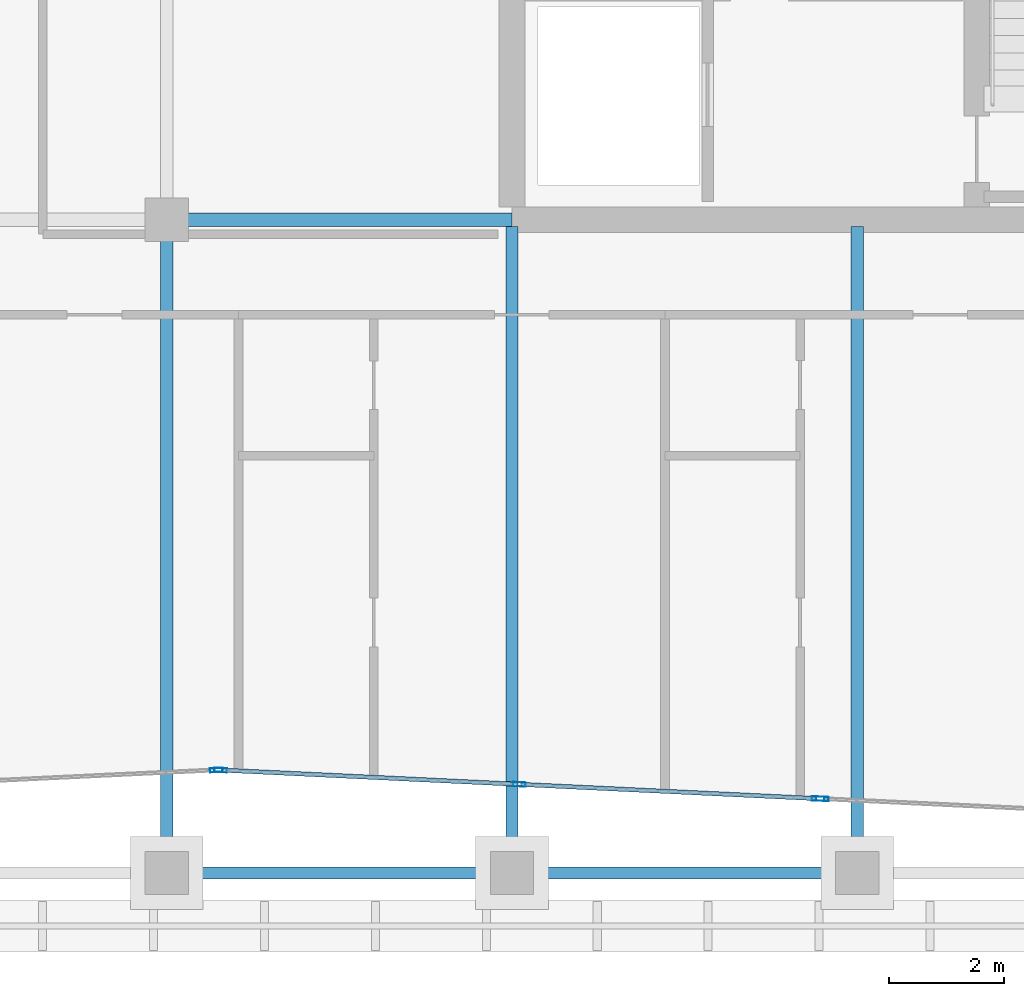
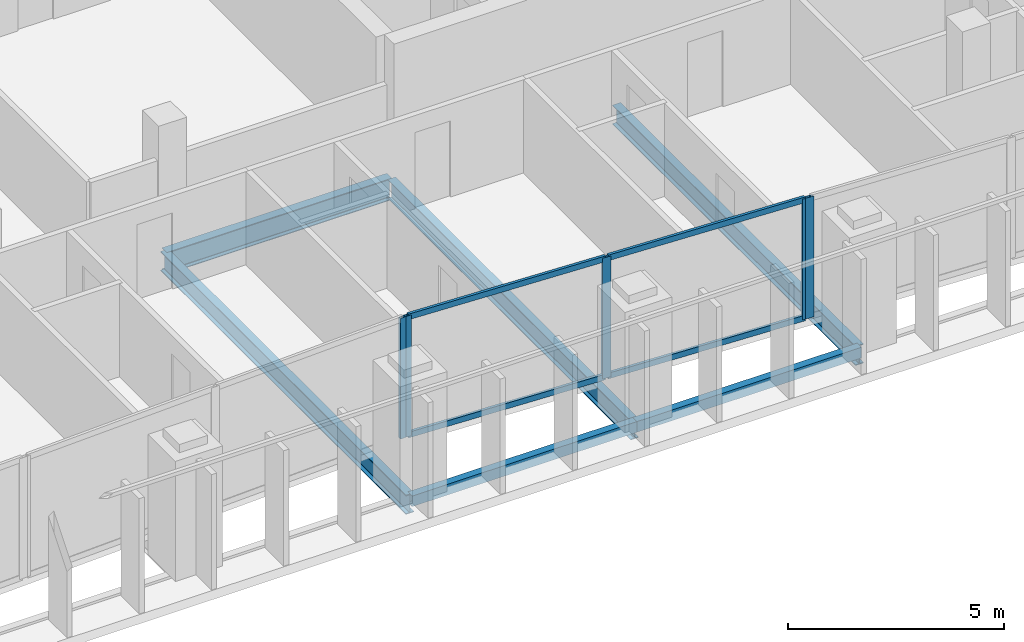
# One storey, part 9 of 32: 9 members, 6 beams, 3 elements without a shape of their own.
"""IFC4 building model written with IfcOpenShell, lengths in metres."""

from ifc_helpers import new_model, si_unit, direction, frame, origin, origin_2d, place, context, subcontext, project, spatial, hollow_rectangle, i_section, extrude, material, layer, layer_set, material_profile, profile_set, type_object, element, aggregate, save


model = new_model("IFC4")

# Units and contexts
model_context = context("Model", 3, precision=1e-05, world=origin(), true_north=direction((0.0, 1.0)))
body_context = subcontext(model_context, "Body", "Model", "MODEL_VIEW")
ifc_project = project(units=[si_unit("LENGTHUNIT", "METRE"), si_unit("AREAUNIT", "SQUARE_METRE"), si_unit("VOLUMEUNIT", "CUBIC_METRE"), si_unit("PLANEANGLEUNIT", "RADIAN"), si_unit("MASSUNIT", "GRAM", prefix="KILO")], contexts=[model_context])

# Site, building, storey
site_placement = place(None, origin())
site = spatial("IfcSite", under=ifc_project, at=site_placement, CompositionType="ELEMENT")
building_placement = place(site_placement, origin())
building = spatial("IfcBuilding", under=site, at=building_placement, Name="Tanjung Sevakor Pilgrim Tower", CompositionType="ELEMENT")
storey_placement = place(building_placement, frame((0.0, 0.0, 211.860107421875)))
storey = spatial("IfcBuildingStorey", under=building, at=storey_placement, Name="L59", CompositionType="ELEMENT", Elevation=211.860107421875)

# Beams
ifc_material_1 = material(Name="Steel S355J2", Category="steel")
ifc_material_profile_1 = material_profile(ifc_material_1, i_section(OverallWidth=0.22900390625, OverallDepth=0.6123046875, WebThickness=0.011962890625, FlangeThickness=0.01953125, FilletRadius=0.0126953125, at=origin_2d()))
ifc_profile_set_1 = profile_set([ifc_material_profile_1], Name="Steel S355J2")
beam_type_1 = type_object("IfcBeamType", Name="BM-B-G4-UB_610x229x125", PredefinedType="BEAM", material=ifc_profile_set_1)
beam_1_placement = place(storey_placement, frame((72.0, 24.60009765625, -0.526123046875), z_axis=(1.0, 0.0, 0.0), x_axis=(0.0, 1.0, 0.0)))
element("IfcBeam", 1, at=beam_1_placement, inside=storey, type_object=beam_type_1, Name="L59 Primary Floor Girder MAIN Y246-08", PredefinedType="BEAM", context=body_context, shape_type="SweptSolid", body=[
    extrude(i_section(OverallWidth=0.22900390625, OverallDepth=0.6123046875, WebThickness=0.011962890625, FlangeThickness=0.01953125, FilletRadius=0.0126953125, at=origin_2d()), origin(), (0.0, 0.0, 1.0), 6.0),
])
ifc_material_2 = material(Name="Steel S355J2", Category="steel")
ifc_material_profile_2 = material_profile(ifc_material_2, i_section(OverallWidth=0.2119140625, OverallDepth=0.54443359375, WebThickness=0.0126953125, FlangeThickness=0.021240234375, FilletRadius=0.0126953125, at=origin_2d()))
ifc_profile_set_2 = profile_set([ifc_material_profile_2], Name="Steel S355J2")
beam_type_2 = type_object("IfcBeamType", Name="BM-B-G5-UB_533x210x122", PredefinedType="BEAM", material=ifc_profile_set_2)
beam_2_placement = place(storey_placement, frame((72.0, 13.25, -0.492431640625), z_axis=(0.0, 1.0, 0.0), x_axis=(-1.0, 0.0, 0.0)))
element("IfcBeam", 2, at=beam_2_placement, inside=storey, type_object=beam_type_2, Name="L59 MAIN Girder 018", PredefinedType="BEAM", context=body_context, shape_type="SweptSolid", body=[
    extrude(i_section(OverallWidth=0.2119140625, OverallDepth=0.54443359375, WebThickness=0.0126953125, FlangeThickness=0.021240234375, FilletRadius=0.0126953125, at=origin_2d()), origin(), (0.0, 0.0, 1.0), 11.35009765625),
])
for number, where, z_axis, x_axis, name in (
    (3, (78.0, 13.25, -0.492431640625), (0.0, 1.0, 0.0), (-1.0, 0.0, 0.0), "L59 MAIN Girder 021"),
    (4, (84.0, 13.25, -0.492431640625), (0.0, 1.0, 0.0), (-1.0, 0.0, 0.0), "L59 MAIN Girder 023"),
):
    element("IfcBeam", number, at=place(storey_placement, frame(where, z_axis=z_axis, x_axis=x_axis)), inside=storey, type_object=beam_type_2, Name=name, PredefinedType="BEAM", context=body_context, shape_type="SweptSolid", body=[
        extrude(i_section(OverallWidth=0.2119140625, OverallDepth=0.54443359375, WebThickness=0.0126953125, FlangeThickness=0.021240234375, FilletRadius=0.0126953125, at=origin_2d()), origin(), (0.0, 0.0, 1.0), 11.235595703125),
    ])
ifc_material_3 = material(Name="Steel S355J2", Category="steel")
ifc_material_profile_3 = material_profile(ifc_material_3, hollow_rectangle(XDim=0.199951171875, YDim=0.300048828125, WallThickness=0.012451171875, at=origin_2d()))
ifc_profile_set_3 = profile_set([ifc_material_profile_3], Name="Steel S355J2")
beam_type_3 = type_object("IfcBeamType", Name="BM-B-SP3-RHS_300x200x12.5", PredefinedType="SPANDREL", material=ifc_profile_set_3)
for number, where, z_axis, x_axis, name in (
    (5, (72.0, 13.25, -0.3701171875), (1.0, 0.0, 0.0), (0.0, 1.0, 0.0), "L59 Spandrel MAIN S-11"),
    (6, (78.0, 13.25, -0.3701171875), (1.0, 0.0, 0.0), (0.0, 1.0, 0.0), "L59 Spandrel MAIN S-13"),
):
    element("IfcBeam", number, at=place(storey_placement, frame(where, z_axis=z_axis, x_axis=x_axis)), inside=storey, type_object=beam_type_3, Name=name, PredefinedType="SPANDREL", context=body_context, shape_type="SweptSolid", body=[
        extrude(hollow_rectangle(XDim=0.199951171875, YDim=0.300048828125, WallThickness=0.012451171875, at=origin_2d()), origin(), (0.0, 0.0, 1.0), 6.0),
    ])

# Curtain wall, member
ifc_material_4 = material(Name="Aluminium 6063-T6 and Low-E Glass", Category="aluminium")
ifc_layer = layer(ifc_material_4, 0.199951171875)
ifc_layer_set = layer_set([ifc_layer], Name="CW-SYS-PRAY")
curtain_wall_type = type_object("IfcCurtainWallType", Name="CW-SYS-PRAY", PredefinedType="NOTDEFINED", material=ifc_layer_set)
curtain_wall_1_placement = place(storey_placement, origin())
curtain_wall_1 = element("IfcCurtainWall", 7, at=curtain_wall_1_placement, inside=storey, type_object=curtain_wall_type, Name="L59 Curtain Wall CW-PRY-L59-10", PredefinedType="NOTDEFINED")
ifc_material_5 = material(Name="Aluminium 6063-T6", Category="aluminium")
ifc_material_profile_4 = material_profile(ifc_material_5, hollow_rectangle(XDim=0.074951171875, YDim=0.219970703125, WallThickness=0.0048828125, at=origin_2d()))
ifc_profile_set_4 = profile_set([ifc_material_profile_4], Name="Aluminium 6063-T6")
member_type_1 = type_object("IfcMemberType", Name="TYPE-CWM-2", PredefinedType="MULLION", material=ifc_profile_set_4)
member_1_placement = place(storey_placement, frame((72.862548828125, 15.038330078125, 0.0), z_axis=(0.0, 0.0, 1.0), x_axis=(-0.047787107337, 0.998857543583, 0.0)))
member_1 = element("IfcMember", 8, at=member_1_placement, type_object=member_type_1, Name="CW-PRY mullion 3", PredefinedType="MULLION", context=body_context, shape_type="SweptSolid", body=[
    extrude(hollow_rectangle(XDim=0.074951171875, YDim=0.219970703125, WallThickness=0.0048828125, at=origin_2d()), origin(), (0.0, 0.0, 1.0), 3.409912109375),
])
aggregate(curtain_wall_1, [member_1])

# Curtain wall, members
curtain_wall_2_placement = place(storey_placement, origin())
curtain_wall_2 = element("IfcCurtainWall", 9, at=curtain_wall_2_placement, inside=storey, type_object=curtain_wall_type, Name="L59 Curtain Wall CW-PRY-L59-11", PredefinedType="NOTDEFINED")
member_2_placement = place(storey_placement, frame((72.9375, 15.038330078125, 0.0), z_axis=(0.0, 0.0, 1.0), x_axis=(0.047787107337, 0.998857543583, 0.0)))
member_2 = element("IfcMember", 10, at=member_2_placement, type_object=member_type_1, Name="CW-PRY mullion 1", PredefinedType="MULLION", context=body_context, shape_type="SweptSolid", body=[
    extrude(hollow_rectangle(XDim=0.074951171875, YDim=0.219970703125, WallThickness=0.0048828125, at=origin_2d()), origin(), (0.0, 0.0, 1.0), 3.409912109375),
])
member_3_placement = place(storey_placement, frame((78.127685546875, 14.7900390625, 0.0), z_axis=(0.0, 0.0, 1.0), x_axis=(0.047787107337, 0.998857543583, 0.0)))
member_3 = element("IfcMember", 11, at=member_3_placement, type_object=member_type_1, Name="CW-PRY mullion 2", PredefinedType="MULLION", context=body_context, shape_type="SweptSolid", body=[
    extrude(hollow_rectangle(XDim=0.074951171875, YDim=0.219970703125, WallThickness=0.0048828125, at=origin_2d()), origin(), (0.0, 0.0, 1.0), 3.409912109375),
])
member_4_placement = place(storey_placement, frame((83.31787109375, 14.541748046875, 0.0), z_axis=(0.0, 0.0, 1.0), x_axis=(0.047787107337, 0.998857543583, 0.0)))
member_4 = element("IfcMember", 12, at=member_4_placement, type_object=member_type_1, Name="CW-PRY mullion 3", PredefinedType="MULLION", context=body_context, shape_type="SweptSolid", body=[
    extrude(hollow_rectangle(XDim=0.074951171875, YDim=0.219970703125, WallThickness=0.0048828125, at=origin_2d()), origin(), (0.0, 0.0, 1.0), 3.409912109375),
])

# Curtain wall, member
curtain_wall_3_placement = place(storey_placement, origin())
curtain_wall_3 = element("IfcCurtainWall", 13, at=curtain_wall_3_placement, inside=storey, type_object=curtain_wall_type, Name="L59 Curtain Wall CW-PRY-L59-12", PredefinedType="NOTDEFINED")
member_5_placement = place(storey_placement, frame((83.392822265625, 14.5380859375, 0.0), z_axis=(0.0, 0.0, 1.0), x_axis=(0.047791311738, 0.998857342428, 0.0)))
member_5 = element("IfcMember", 14, at=member_5_placement, type_object=member_type_1, Name="CW-PRY mullion 1", PredefinedType="MULLION", context=body_context, shape_type="SweptSolid", body=[
    extrude(hollow_rectangle(XDim=0.074951171875, YDim=0.219970703125, WallThickness=0.0048828125, at=origin_2d()), origin(), (0.0, 0.0, 1.0), 3.409912109375),
])
aggregate(curtain_wall_3, [member_5])

# Member
ifc_material_6 = material(Name="Aluminium 6063-T6", Category="aluminium")
ifc_material_profile_5 = material_profile(ifc_material_6, hollow_rectangle(XDim=0.074951171875, YDim=0.159912109375, WallThickness=0.00439453125, at=origin_2d()))
ifc_profile_set_5 = profile_set([ifc_material_profile_5], Name="Aluminium 6063-T6")
member_type_2 = type_object("IfcMemberType", Name="TYPE-CWT-2", PredefinedType="USERDEFINED", material=ifc_profile_set_5)
member_6_placement = place(storey_placement, frame((72.974853515625, 15.03662109375, 0.037353515625), z_axis=(0.998856133767, -0.047816566541, 0.0), x_axis=(0.047816566541, 0.998856133767, 0.0)))
member_6 = element("IfcMember", 15, at=member_6_placement, type_object=member_type_2, Name="CW-PRY transom 1.1", ObjectType="TRANSOM", PredefinedType="USERDEFINED", context=body_context, shape_type="SweptSolid", body=[
    extrude(hollow_rectangle(XDim=0.074951171875, YDim=0.159912109375, WallThickness=0.00439453125, at=origin_2d()), origin(), (0.0, 0.0, 1.0), 5.12109375),
])

member_7_placement = place(storey_placement, frame((72.974853515625, 15.03662109375, 3.372314453125), z_axis=(0.998856133767, -0.047816566541, 0.0), x_axis=(0.047816566541, 0.998856133767, 0.0)))
member_7 = element("IfcMember", 16, at=member_7_placement, type_object=member_type_2, Name="CW-PRY transom 1.2", ObjectType="TRANSOM", PredefinedType="USERDEFINED", context=body_context, shape_type="SweptSolid", body=[
    extrude(hollow_rectangle(XDim=0.074951171875, YDim=0.159912109375, WallThickness=0.00439453125, at=origin_2d()), origin(), (0.0, 0.0, 1.0), 5.12109375),
])

member_8_placement = place(storey_placement, frame((78.1650390625, 14.7880859375, 0.037353515625), z_axis=(0.998858409618, -0.047769001835, 0.0), x_axis=(0.047769001835, 0.998858409618, 0.0)))
member_8 = element("IfcMember", 17, at=member_8_placement, type_object=member_type_2, Name="CW-PRY transom 2.1", ObjectType="TRANSOM", PredefinedType="USERDEFINED", context=body_context, shape_type="SweptSolid", body=[
    extrude(hollow_rectangle(XDim=0.074951171875, YDim=0.159912109375, WallThickness=0.00439453125, at=origin_2d()), origin(), (0.0, 0.0, 1.0), 5.12109375),
])

member_9_placement = place(storey_placement, frame((78.1650390625, 14.7880859375, 3.372314453125), z_axis=(0.998858409618, -0.047769001835, 0.0), x_axis=(0.047769001835, 0.998858409618, 0.0)))
member_9 = element("IfcMember", 18, at=member_9_placement, type_object=member_type_2, Name="CW-PRY transom 2.2", ObjectType="TRANSOM", PredefinedType="USERDEFINED", context=body_context, shape_type="SweptSolid", body=[
    extrude(hollow_rectangle(XDim=0.074951171875, YDim=0.159912109375, WallThickness=0.00439453125, at=origin_2d()), origin(), (0.0, 0.0, 1.0), 5.12109375),
])

aggregate(curtain_wall_2, [member_2, member_3, member_4, member_6, member_7, member_8, member_9])

save(model, "model.ifc")
